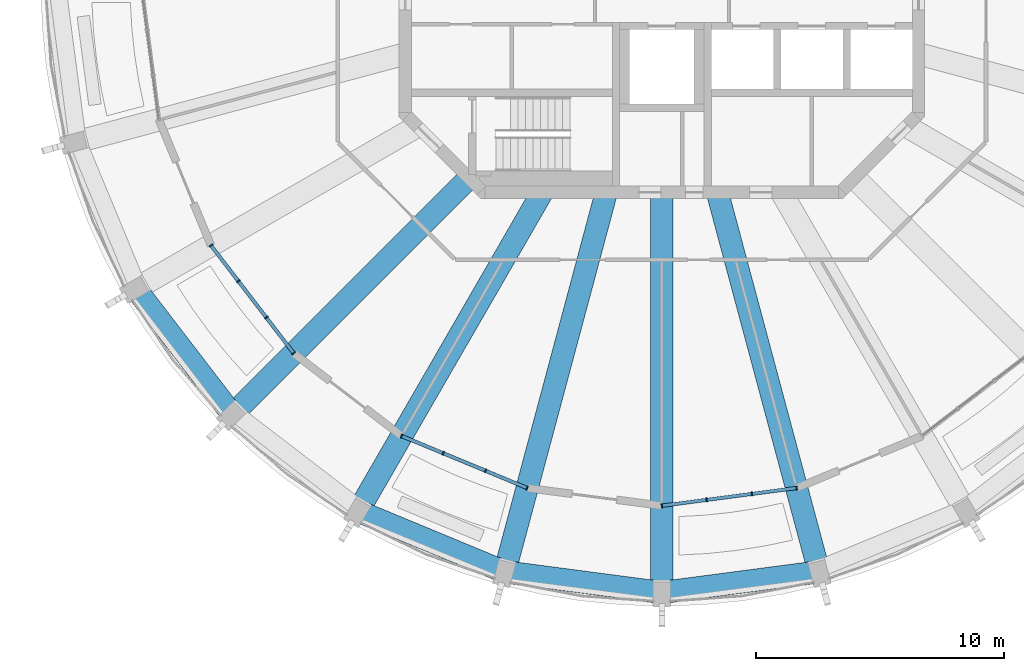
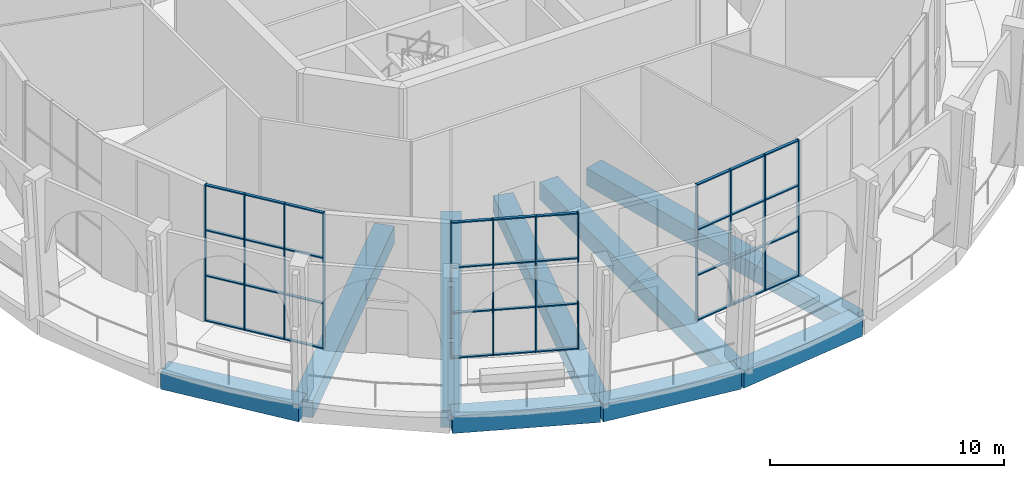
# One storey, part 2 of 17: 48 members, 9 beams, 3 elements without a shape of their own.
"""IFC4 building model written with IfcOpenShell, lengths in metres."""

from ifc_helpers import new_model, si_unit, direction, frame, origin, origin_2d, place, context, subcontext, project, spatial, rectangle, extrude, material, material_profile, profile_set, type_object, element, aggregate, save


model = new_model("IFC4")

# Units and contexts
model_context = context("Model", 3, precision=1e-05, world=origin(), true_north=direction((0.0, 1.0)))
body_context = subcontext(model_context, "Body", "Model", "MODEL_VIEW")
ifc_project = project(units=[si_unit("LENGTHUNIT", "METRE"), si_unit("AREAUNIT", "SQUARE_METRE"), si_unit("VOLUMEUNIT", "CUBIC_METRE"), si_unit("PLANEANGLEUNIT", "RADIAN"), si_unit("MASSUNIT", "GRAM", prefix="KILO")], contexts=[model_context])

# Site, building, storey
site_placement = place(None, origin())
site = spatial("IfcSite", under=ifc_project, at=site_placement, CompositionType="ELEMENT")
building_placement = place(site_placement, origin())
building = spatial("IfcBuilding", under=site, at=building_placement, Name="Torre Triforio", CompositionType="ELEMENT")
storey_placement = place(building_placement, frame((0.0, 0.0, 276.0)))
storey = spatial("IfcBuildingStorey", under=building, at=storey_placement, Name="L64", CompositionType="ELEMENT", Elevation=276.0)

# Curtain wall, members
ifc_material_1 = material(Name="Aluminium mullion and transom frame with clear laminated glass", Category="aluminium")
curtain_wall_type = type_object("IfcCurtainWallType", Name="Sky garden conservatory wall ECW3", PredefinedType="NOTDEFINED", material=ifc_material_1)
curtain_wall_1_placement = place(storey_placement, origin())
curtain_wall_1 = element("IfcCurtainWall", 1, at=curtain_wall_1_placement, inside=storey, type_object=curtain_wall_type, Name="Conservatory wall L64 bay 15", PredefinedType="NOTDEFINED")
ifc_material_2 = material(Name="Anodised aluminium extrusion", Category="aluminium")
ifc_material_profile_1 = material_profile(ifc_material_2, rectangle(XDim=0.159912109375, YDim=0.06005859375, at=origin_2d()), Name="ECW3 MULLION 60x160")
ifc_profile_set_1 = profile_set([ifc_material_profile_1], Name="Anodised aluminium extrusion")
member_type_1 = type_object("IfcMemberType", Name="ECW3 mullion 60 x 160", PredefinedType="MULLION", material=ifc_profile_set_1)
member_1_placement = place(storey_placement, frame((-18.1865234375, -10.5, 0.0), z_axis=(0.0, 0.0, 1.0), x_axis=(0.793351885029, 0.608763325538, 0.0)))
member_1 = element("IfcMember", 2, at=member_1_placement, type_object=member_type_1, Name="ECW3 mullion 1", PredefinedType="MULLION", context=body_context, shape_type="SweptSolid", body=[
    extrude(rectangle(XDim=0.159912109375, YDim=0.06005859375, at=origin_2d()), origin(), (0.0, 0.0, 1.0), 7.1201171875),
])
member_2_placement = place(storey_placement, frame((-17.080078125, -11.94189453125, 0.0), z_axis=(0.0, 0.0, 1.0), x_axis=(0.793351885029, 0.608763325538, 0.0)))
member_2 = element("IfcMember", 3, at=member_2_placement, type_object=member_type_1, Name="ECW3 mullion 2", PredefinedType="MULLION", context=body_context, shape_type="SweptSolid", body=[
    extrude(rectangle(XDim=0.159912109375, YDim=0.06005859375, at=origin_2d()), origin(), (0.0, 0.0, 1.0), 7.1201171875),
])
member_3_placement = place(storey_placement, frame((-15.95556640625, -13.407470703125, 0.0), z_axis=(0.0, 0.0, 1.0), x_axis=(0.793351885029, 0.608763325538, 0.0)))
member_3 = element("IfcMember", 4, at=member_3_placement, type_object=member_type_1, Name="ECW3 mullion 3", PredefinedType="MULLION", context=body_context, shape_type="SweptSolid", body=[
    extrude(rectangle(XDim=0.159912109375, YDim=0.06005859375, at=origin_2d()), origin(), (0.0, 0.0, 1.0), 7.1201171875),
])
member_4_placement = place(storey_placement, frame((-14.849365234375, -14.84912109375, 0.0), z_axis=(0.0, 0.0, 1.0), x_axis=(0.793351885029, 0.608763325538, 0.0)))
member_4 = element("IfcMember", 5, at=member_4_placement, type_object=member_type_1, Name="ECW3 mullion 4", PredefinedType="MULLION", context=body_context, shape_type="SweptSolid", body=[
    extrude(rectangle(XDim=0.159912109375, YDim=0.06005859375, at=origin_2d()), origin(), (0.0, 0.0, 1.0), 7.1201171875),
])

curtain_wall_2_placement = place(storey_placement, origin())
curtain_wall_2 = element("IfcCurtainWall", 6, at=curtain_wall_2_placement, inside=storey, type_object=curtain_wall_type, Name="Conservatory wall L64 bay 17", PredefinedType="NOTDEFINED")
member_5_placement = place(storey_placement, frame((-10.5, -18.1865234375, 0.0), z_axis=(0.0, 0.0, 1.0), x_axis=(0.382674764107, 0.923883122974, 0.0)))
member_5 = element("IfcMember", 7, at=member_5_placement, type_object=member_type_1, Name="ECW3 mullion 1", PredefinedType="MULLION", context=body_context, shape_type="SweptSolid", body=[
    extrude(rectangle(XDim=0.159912109375, YDim=0.06005859375, at=origin_2d()), origin(), (0.0, 0.0, 1.0), 7.1201171875),
])
member_6_placement = place(storey_placement, frame((-8.821044921875, -18.882080078125, 0.0), z_axis=(0.0, 0.0, 1.0), x_axis=(0.382674764107, 0.923883122974, 0.0)))
member_6 = element("IfcMember", 8, at=member_6_placement, type_object=member_type_1, Name="ECW3 mullion 2", PredefinedType="MULLION", context=body_context, shape_type="SweptSolid", body=[
    extrude(rectangle(XDim=0.159912109375, YDim=0.06005859375, at=origin_2d()), origin(), (0.0, 0.0, 1.0), 7.1201171875),
])
member_7_placement = place(storey_placement, frame((-7.1142578125, -19.5888671875, 0.0), z_axis=(0.0, 0.0, 1.0), x_axis=(0.382674764107, 0.923883122974, 0.0)))
member_7 = element("IfcMember", 9, at=member_7_placement, type_object=member_type_1, Name="ECW3 mullion 3", PredefinedType="MULLION", context=body_context, shape_type="SweptSolid", body=[
    extrude(rectangle(XDim=0.159912109375, YDim=0.06005859375, at=origin_2d()), origin(), (0.0, 0.0, 1.0), 7.1201171875),
])
member_8_placement = place(storey_placement, frame((-5.435302734375, -20.284423828125, 0.0), z_axis=(0.0, 0.0, 1.0), x_axis=(0.382674764107, 0.923883122974, 0.0)))
member_8 = element("IfcMember", 10, at=member_8_placement, type_object=member_type_1, Name="ECW3 mullion 4", PredefinedType="MULLION", context=body_context, shape_type="SweptSolid", body=[
    extrude(rectangle(XDim=0.159912109375, YDim=0.06005859375, at=origin_2d()), origin(), (0.0, 0.0, 1.0), 7.1201171875),
])

curtain_wall_3_placement = place(storey_placement, origin())
curtain_wall_3 = element("IfcCurtainWall", 11, at=curtain_wall_3_placement, inside=storey, type_object=curtain_wall_type, Name="Conservatory wall L64 bay 19", PredefinedType="NOTDEFINED")
member_9_placement = place(storey_placement, frame((0.0, -21.0, 0.0), z_axis=(0.0, 0.0, 1.0), x_axis=(-0.130530127386, 0.991444343291, 0.0)))
member_9 = element("IfcMember", 12, at=member_9_placement, type_object=member_type_1, Name="ECW3 mullion 1", PredefinedType="MULLION", context=body_context, shape_type="SweptSolid", body=[
    extrude(rectangle(XDim=0.159912109375, YDim=0.06005859375, at=origin_2d()), origin(), (0.0, 0.0, 1.0), 7.1201171875),
])
member_10_placement = place(storey_placement, frame((1.8017578125, -20.7626953125, 0.0), z_axis=(0.0, 0.0, 1.0), x_axis=(-0.130530127386, 0.991444343291, 0.0)))
member_10 = element("IfcMember", 13, at=member_10_placement, type_object=member_type_1, Name="ECW3 mullion 2", PredefinedType="MULLION", context=body_context, shape_type="SweptSolid", body=[
    extrude(rectangle(XDim=0.159912109375, YDim=0.06005859375, at=origin_2d()), origin(), (0.0, 0.0, 1.0), 7.1201171875),
])
member_11_placement = place(storey_placement, frame((3.63330078125, -20.521728515625, 0.0), z_axis=(0.0, 0.0, 1.0), x_axis=(-0.130530127386, 0.991444343291, 0.0)))
member_11 = element("IfcMember", 14, at=member_11_placement, type_object=member_type_1, Name="ECW3 mullion 3", PredefinedType="MULLION", context=body_context, shape_type="SweptSolid", body=[
    extrude(rectangle(XDim=0.159912109375, YDim=0.06005859375, at=origin_2d()), origin(), (0.0, 0.0, 1.0), 7.1201171875),
])
member_12_placement = place(storey_placement, frame((5.43505859375, -20.284423828125, 0.0), z_axis=(0.0, 0.0, 1.0), x_axis=(-0.130530127386, 0.991444343291, 0.0)))
member_12 = element("IfcMember", 15, at=member_12_placement, type_object=member_type_1, Name="ECW3 mullion 4", PredefinedType="MULLION", context=body_context, shape_type="SweptSolid", body=[
    extrude(rectangle(XDim=0.159912109375, YDim=0.06005859375, at=origin_2d()), origin(), (0.0, 0.0, 1.0), 7.1201171875),
])

# Member
ifc_material_profile_2 = material_profile(ifc_material_2, rectangle(XDim=0.139892578125, YDim=0.06005859375, at=origin_2d()), Name="ECW3 TRANSOM 60x140")
ifc_profile_set_2 = profile_set([ifc_material_profile_2], Name="Anodised aluminium extrusion")
member_type_2 = type_object("IfcMemberType", Name="ECW3 transom 60 x 140", PredefinedType="USERDEFINED", material=ifc_profile_set_2)
member_13_placement = place(storey_placement, frame((-18.168212890625, -10.523681640625, 0.030029296875), z_axis=(0.60874355425, -0.793367055756, 0.0), x_axis=(0.793367055756, 0.60874355425, 0.0)))
member_13 = element("IfcMember", 16, at=member_13_placement, type_object=member_type_2, Name="ECW3 transom 1.1", ObjectType="TRANSOM", PredefinedType="USERDEFINED", context=body_context, shape_type="SweptSolid", body=[
    extrude(rectangle(XDim=0.139892578125, YDim=0.06005859375, at=origin_2d()), origin(), (0.0, 0.0, 1.0), 1.75732421875),
])

member_14_placement = place(storey_placement, frame((-18.168212890625, -10.523681640625, 2.373291015625), z_axis=(0.60874355425, -0.793367055756, 0.0), x_axis=(0.793367055756, 0.60874355425, 0.0)))
member_14 = element("IfcMember", 17, at=member_14_placement, type_object=member_type_2, Name="ECW3 transom 1.2", ObjectType="TRANSOM", PredefinedType="USERDEFINED", context=body_context, shape_type="SweptSolid", body=[
    extrude(rectangle(XDim=0.139892578125, YDim=0.06005859375, at=origin_2d()), origin(), (0.0, 0.0, 1.0), 1.75732421875),
])

member_15_placement = place(storey_placement, frame((-18.168212890625, -10.523681640625, 4.74658203125), z_axis=(0.60874355425, -0.793367055756, 0.0), x_axis=(0.793367055756, 0.60874355425, 0.0)))
member_15 = element("IfcMember", 18, at=member_15_placement, type_object=member_type_2, Name="ECW3 transom 1.3", ObjectType="TRANSOM", PredefinedType="USERDEFINED", context=body_context, shape_type="SweptSolid", body=[
    extrude(rectangle(XDim=0.139892578125, YDim=0.06005859375, at=origin_2d()), origin(), (0.0, 0.0, 1.0), 1.75732421875),
])

member_16_placement = place(storey_placement, frame((-18.168212890625, -10.523681640625, 7.090087890625), z_axis=(0.60874355425, -0.793367055756, 0.0), x_axis=(0.793367055756, 0.60874355425, 0.0)))
member_16 = element("IfcMember", 19, at=member_16_placement, type_object=member_type_2, Name="ECW3 transom 1.4", ObjectType="TRANSOM", PredefinedType="USERDEFINED", context=body_context, shape_type="SweptSolid", body=[
    extrude(rectangle(XDim=0.139892578125, YDim=0.06005859375, at=origin_2d()), origin(), (0.0, 0.0, 1.0), 1.75732421875),
])

member_17_placement = place(storey_placement, frame((-17.06201171875, -11.965576171875, 0.030029296875), z_axis=(0.608792795973, -0.793329270588, 0.0), x_axis=(0.793329270588, 0.608792795973, 0.0)))
member_17 = element("IfcMember", 20, at=member_17_placement, type_object=member_type_2, Name="ECW3 transom 2.1", ObjectType="TRANSOM", PredefinedType="USERDEFINED", context=body_context, shape_type="SweptSolid", body=[
    extrude(rectangle(XDim=0.139892578125, YDim=0.06005859375, at=origin_2d()), origin(), (0.0, 0.0, 1.0), 1.787353515625),
])

member_18_placement = place(storey_placement, frame((-17.06201171875, -11.965576171875, 2.373291015625), z_axis=(0.608792795973, -0.793329270588, 0.0), x_axis=(0.793329270588, 0.608792795973, 0.0)))
member_18 = element("IfcMember", 21, at=member_18_placement, type_object=member_type_2, Name="ECW3 transom 2.2", ObjectType="TRANSOM", PredefinedType="USERDEFINED", context=body_context, shape_type="SweptSolid", body=[
    extrude(rectangle(XDim=0.139892578125, YDim=0.06005859375, at=origin_2d()), origin(), (0.0, 0.0, 1.0), 1.787353515625),
])

member_19_placement = place(storey_placement, frame((-17.06201171875, -11.965576171875, 4.74658203125), z_axis=(0.608792795973, -0.793329270588, 0.0), x_axis=(0.793329270588, 0.608792795973, 0.0)))
member_19 = element("IfcMember", 22, at=member_19_placement, type_object=member_type_2, Name="ECW3 transom 2.3", ObjectType="TRANSOM", PredefinedType="USERDEFINED", context=body_context, shape_type="SweptSolid", body=[
    extrude(rectangle(XDim=0.139892578125, YDim=0.06005859375, at=origin_2d()), origin(), (0.0, 0.0, 1.0), 1.787353515625),
])

member_20_placement = place(storey_placement, frame((-17.06201171875, -11.965576171875, 7.090087890625), z_axis=(0.608792795973, -0.793329270588, 0.0), x_axis=(0.793329270588, 0.608792795973, 0.0)))
member_20 = element("IfcMember", 23, at=member_20_placement, type_object=member_type_2, Name="ECW3 transom 2.4", ObjectType="TRANSOM", PredefinedType="USERDEFINED", context=body_context, shape_type="SweptSolid", body=[
    extrude(rectangle(XDim=0.139892578125, YDim=0.06005859375, at=origin_2d()), origin(), (0.0, 0.0, 1.0), 1.787353515625),
])

member_21_placement = place(storey_placement, frame((-15.937255859375, -13.43115234375, 0.030029296875), z_axis=(0.60874355425, -0.793367055756, 0.0), x_axis=(0.793367055756, 0.60874355425, 0.0)))
member_21 = element("IfcMember", 24, at=member_21_placement, type_object=member_type_2, Name="ECW3 transom 3.1", ObjectType="TRANSOM", PredefinedType="USERDEFINED", context=body_context, shape_type="SweptSolid", body=[
    extrude(rectangle(XDim=0.139892578125, YDim=0.06005859375, at=origin_2d()), origin(), (0.0, 0.0, 1.0), 1.75732421875),
])

member_22_placement = place(storey_placement, frame((-15.937255859375, -13.43115234375, 2.373291015625), z_axis=(0.60874355425, -0.793367055756, 0.0), x_axis=(0.793367055756, 0.60874355425, 0.0)))
member_22 = element("IfcMember", 25, at=member_22_placement, type_object=member_type_2, Name="ECW3 transom 3.2", ObjectType="TRANSOM", PredefinedType="USERDEFINED", context=body_context, shape_type="SweptSolid", body=[
    extrude(rectangle(XDim=0.139892578125, YDim=0.06005859375, at=origin_2d()), origin(), (0.0, 0.0, 1.0), 1.75732421875),
])

member_23_placement = place(storey_placement, frame((-15.937255859375, -13.43115234375, 4.74658203125), z_axis=(0.60874355425, -0.793367055756, 0.0), x_axis=(0.793367055756, 0.60874355425, 0.0)))
member_23 = element("IfcMember", 26, at=member_23_placement, type_object=member_type_2, Name="ECW3 transom 3.3", ObjectType="TRANSOM", PredefinedType="USERDEFINED", context=body_context, shape_type="SweptSolid", body=[
    extrude(rectangle(XDim=0.139892578125, YDim=0.06005859375, at=origin_2d()), origin(), (0.0, 0.0, 1.0), 1.75732421875),
])

member_24_placement = place(storey_placement, frame((-15.937255859375, -13.43115234375, 7.090087890625), z_axis=(0.60874355425, -0.793367055756, 0.0), x_axis=(0.793367055756, 0.60874355425, 0.0)))
member_24 = element("IfcMember", 27, at=member_24_placement, type_object=member_type_2, Name="ECW3 transom 3.4", ObjectType="TRANSOM", PredefinedType="USERDEFINED", context=body_context, shape_type="SweptSolid", body=[
    extrude(rectangle(XDim=0.139892578125, YDim=0.06005859375, at=origin_2d()), origin(), (0.0, 0.0, 1.0), 1.75732421875),
])

aggregate(curtain_wall_1, [member_1, member_2, member_3, member_4, member_13, member_14, member_15, member_16, member_17, member_18, member_19, member_20, member_21, member_22, member_23, member_24])

member_25_placement = place(storey_placement, frame((-10.47216796875, -18.197998046875, 0.030029296875), z_axis=(0.923855963606, -0.38274032778, 0.0), x_axis=(0.38274032778, 0.923855963606, 0.0)))
member_25 = element("IfcMember", 28, at=member_25_placement, type_object=member_type_2, Name="ECW3 transom 1.1", ObjectType="TRANSOM", PredefinedType="USERDEFINED", context=body_context, shape_type="SweptSolid", body=[
    extrude(rectangle(XDim=0.139892578125, YDim=0.06005859375, at=origin_2d()), origin(), (0.0, 0.0, 1.0), 1.75732421875),
])

member_26_placement = place(storey_placement, frame((-10.47216796875, -18.197998046875, 2.373291015625), z_axis=(0.923855963606, -0.38274032778, 0.0), x_axis=(0.38274032778, 0.923855963606, 0.0)))
member_26 = element("IfcMember", 29, at=member_26_placement, type_object=member_type_2, Name="ECW3 transom 1.2", ObjectType="TRANSOM", PredefinedType="USERDEFINED", context=body_context, shape_type="SweptSolid", body=[
    extrude(rectangle(XDim=0.139892578125, YDim=0.06005859375, at=origin_2d()), origin(), (0.0, 0.0, 1.0), 1.75732421875),
])

member_27_placement = place(storey_placement, frame((-10.47216796875, -18.197998046875, 4.74658203125), z_axis=(0.923855963606, -0.38274032778, 0.0), x_axis=(0.38274032778, 0.923855963606, 0.0)))
member_27 = element("IfcMember", 30, at=member_27_placement, type_object=member_type_2, Name="ECW3 transom 1.3", ObjectType="TRANSOM", PredefinedType="USERDEFINED", context=body_context, shape_type="SweptSolid", body=[
    extrude(rectangle(XDim=0.139892578125, YDim=0.06005859375, at=origin_2d()), origin(), (0.0, 0.0, 1.0), 1.75732421875),
])

member_28_placement = place(storey_placement, frame((-10.47216796875, -18.197998046875, 7.090087890625), z_axis=(0.923855963606, -0.38274032778, 0.0), x_axis=(0.38274032778, 0.923855963606, 0.0)))
member_28 = element("IfcMember", 31, at=member_28_placement, type_object=member_type_2, Name="ECW3 transom 1.4", ObjectType="TRANSOM", PredefinedType="USERDEFINED", context=body_context, shape_type="SweptSolid", body=[
    extrude(rectangle(XDim=0.139892578125, YDim=0.06005859375, at=origin_2d()), origin(), (0.0, 0.0, 1.0), 1.75732421875),
])

member_29_placement = place(storey_placement, frame((-8.793212890625, -18.8935546875, 0.030029296875), z_axis=(0.923915291126, -0.382597092023, 0.0), x_axis=(0.382597092023, 0.923915291126, 0.0)))
member_29 = element("IfcMember", 32, at=member_29_placement, type_object=member_type_2, Name="ECW3 transom 2.1", ObjectType="TRANSOM", PredefinedType="USERDEFINED", context=body_context, shape_type="SweptSolid", body=[
    extrude(rectangle(XDim=0.139892578125, YDim=0.06005859375, at=origin_2d()), origin(), (0.0, 0.0, 1.0), 1.787353515625),
])

member_30_placement = place(storey_placement, frame((-8.793212890625, -18.8935546875, 2.373291015625), z_axis=(0.923915291126, -0.382597092023, 0.0), x_axis=(0.382597092023, 0.923915291126, 0.0)))
member_30 = element("IfcMember", 33, at=member_30_placement, type_object=member_type_2, Name="ECW3 transom 2.2", ObjectType="TRANSOM", PredefinedType="USERDEFINED", context=body_context, shape_type="SweptSolid", body=[
    extrude(rectangle(XDim=0.139892578125, YDim=0.06005859375, at=origin_2d()), origin(), (0.0, 0.0, 1.0), 1.787353515625),
])

member_31_placement = place(storey_placement, frame((-8.793212890625, -18.8935546875, 4.74658203125), z_axis=(0.923915291126, -0.382597092023, 0.0), x_axis=(0.382597092023, 0.923915291126, 0.0)))
member_31 = element("IfcMember", 34, at=member_31_placement, type_object=member_type_2, Name="ECW3 transom 2.3", ObjectType="TRANSOM", PredefinedType="USERDEFINED", context=body_context, shape_type="SweptSolid", body=[
    extrude(rectangle(XDim=0.139892578125, YDim=0.06005859375, at=origin_2d()), origin(), (0.0, 0.0, 1.0), 1.787353515625),
])

member_32_placement = place(storey_placement, frame((-8.793212890625, -18.8935546875, 7.090087890625), z_axis=(0.923915291126, -0.382597092023, 0.0), x_axis=(0.382597092023, 0.923915291126, 0.0)))
member_32 = element("IfcMember", 35, at=member_32_placement, type_object=member_type_2, Name="ECW3 transom 2.4", ObjectType="TRANSOM", PredefinedType="USERDEFINED", context=body_context, shape_type="SweptSolid", body=[
    extrude(rectangle(XDim=0.139892578125, YDim=0.06005859375, at=origin_2d()), origin(), (0.0, 0.0, 1.0), 1.787353515625),
])

member_33_placement = place(storey_placement, frame((-7.08642578125, -19.600341796875, 0.030029296875), z_axis=(0.923855963606, -0.38274032778, 0.0), x_axis=(0.38274032778, 0.923855963606, 0.0)))
member_33 = element("IfcMember", 36, at=member_33_placement, type_object=member_type_2, Name="ECW3 transom 3.1", ObjectType="TRANSOM", PredefinedType="USERDEFINED", context=body_context, shape_type="SweptSolid", body=[
    extrude(rectangle(XDim=0.139892578125, YDim=0.06005859375, at=origin_2d()), origin(), (0.0, 0.0, 1.0), 1.75732421875),
])

member_34_placement = place(storey_placement, frame((-7.08642578125, -19.600341796875, 2.373291015625), z_axis=(0.923855963606, -0.38274032778, 0.0), x_axis=(0.38274032778, 0.923855963606, 0.0)))
member_34 = element("IfcMember", 37, at=member_34_placement, type_object=member_type_2, Name="ECW3 transom 3.2", ObjectType="TRANSOM", PredefinedType="USERDEFINED", context=body_context, shape_type="SweptSolid", body=[
    extrude(rectangle(XDim=0.139892578125, YDim=0.06005859375, at=origin_2d()), origin(), (0.0, 0.0, 1.0), 1.75732421875),
])

member_35_placement = place(storey_placement, frame((-7.08642578125, -19.600341796875, 4.74658203125), z_axis=(0.923855963606, -0.38274032778, 0.0), x_axis=(0.38274032778, 0.923855963606, 0.0)))
member_35 = element("IfcMember", 38, at=member_35_placement, type_object=member_type_2, Name="ECW3 transom 3.3", ObjectType="TRANSOM", PredefinedType="USERDEFINED", context=body_context, shape_type="SweptSolid", body=[
    extrude(rectangle(XDim=0.139892578125, YDim=0.06005859375, at=origin_2d()), origin(), (0.0, 0.0, 1.0), 1.75732421875),
])

member_36_placement = place(storey_placement, frame((-7.08642578125, -19.600341796875, 7.090087890625), z_axis=(0.923855963606, -0.38274032778, 0.0), x_axis=(0.38274032778, 0.923855963606, 0.0)))
member_36 = element("IfcMember", 39, at=member_36_placement, type_object=member_type_2, Name="ECW3 transom 3.4", ObjectType="TRANSOM", PredefinedType="USERDEFINED", context=body_context, shape_type="SweptSolid", body=[
    extrude(rectangle(XDim=0.139892578125, YDim=0.06005859375, at=origin_2d()), origin(), (0.0, 0.0, 1.0), 1.75732421875),
])

aggregate(curtain_wall_2, [member_5, member_6, member_7, member_8, member_25, member_26, member_27, member_28, member_29, member_30, member_31, member_32, member_33, member_34, member_35, member_36])

member_37_placement = place(storey_placement, frame((0.02978515625, -20.99609375, 0.030029296875), z_axis=(0.991435369623, 0.130598268981, 0.0), x_axis=(-0.130598268981, 0.991435369623, 0.0)))
member_37 = element("IfcMember", 40, at=member_37_placement, type_object=member_type_2, Name="ECW3 transom 1.1", ObjectType="TRANSOM", PredefinedType="USERDEFINED", context=body_context, shape_type="SweptSolid", body=[
    extrude(rectangle(XDim=0.139892578125, YDim=0.06005859375, at=origin_2d()), origin(), (0.0, 0.0, 1.0), 1.75732421875),
])

member_38_placement = place(storey_placement, frame((0.02978515625, -20.99609375, 2.373291015625), z_axis=(0.991435369623, 0.130598268981, 0.0), x_axis=(-0.130598268981, 0.991435369623, 0.0)))
member_38 = element("IfcMember", 41, at=member_38_placement, type_object=member_type_2, Name="ECW3 transom 1.2", ObjectType="TRANSOM", PredefinedType="USERDEFINED", context=body_context, shape_type="SweptSolid", body=[
    extrude(rectangle(XDim=0.139892578125, YDim=0.06005859375, at=origin_2d()), origin(), (0.0, 0.0, 1.0), 1.75732421875),
])

member_39_placement = place(storey_placement, frame((0.02978515625, -20.99609375, 4.74658203125), z_axis=(0.991435369623, 0.130598268981, 0.0), x_axis=(-0.130598268981, 0.991435369623, 0.0)))
member_39 = element("IfcMember", 42, at=member_39_placement, type_object=member_type_2, Name="ECW3 transom 1.3", ObjectType="TRANSOM", PredefinedType="USERDEFINED", context=body_context, shape_type="SweptSolid", body=[
    extrude(rectangle(XDim=0.139892578125, YDim=0.06005859375, at=origin_2d()), origin(), (0.0, 0.0, 1.0), 1.75732421875),
])

member_40_placement = place(storey_placement, frame((0.02978515625, -20.99609375, 7.090087890625), z_axis=(0.991435369623, 0.130598268981, 0.0), x_axis=(-0.130598268981, 0.991435369623, 0.0)))
member_40 = element("IfcMember", 43, at=member_40_placement, type_object=member_type_2, Name="ECW3 transom 1.4", ObjectType="TRANSOM", PredefinedType="USERDEFINED", context=body_context, shape_type="SweptSolid", body=[
    extrude(rectangle(XDim=0.139892578125, YDim=0.06005859375, at=origin_2d()), origin(), (0.0, 0.0, 1.0), 1.75732421875),
])

member_41_placement = place(storey_placement, frame((1.83154296875, -20.7587890625, 0.030029296875), z_axis=(0.991454295543, 0.130454512571, 0.0), x_axis=(-0.130454512571, 0.991454295543, 0.0)))
member_41 = element("IfcMember", 44, at=member_41_placement, type_object=member_type_2, Name="ECW3 transom 2.1", ObjectType="TRANSOM", PredefinedType="USERDEFINED", context=body_context, shape_type="SweptSolid", body=[
    extrude(rectangle(XDim=0.139892578125, YDim=0.06005859375, at=origin_2d()), origin(), (0.0, 0.0, 1.0), 1.787353515625),
])

member_42_placement = place(storey_placement, frame((1.83154296875, -20.7587890625, 2.373291015625), z_axis=(0.991454295543, 0.130454512571, 0.0), x_axis=(-0.130454512571, 0.991454295543, 0.0)))
member_42 = element("IfcMember", 45, at=member_42_placement, type_object=member_type_2, Name="ECW3 transom 2.2", ObjectType="TRANSOM", PredefinedType="USERDEFINED", context=body_context, shape_type="SweptSolid", body=[
    extrude(rectangle(XDim=0.139892578125, YDim=0.06005859375, at=origin_2d()), origin(), (0.0, 0.0, 1.0), 1.787353515625),
])

member_43_placement = place(storey_placement, frame((1.83154296875, -20.7587890625, 4.74658203125), z_axis=(0.991454295543, 0.130454512571, 0.0), x_axis=(-0.130454512571, 0.991454295543, 0.0)))
member_43 = element("IfcMember", 46, at=member_43_placement, type_object=member_type_2, Name="ECW3 transom 2.3", ObjectType="TRANSOM", PredefinedType="USERDEFINED", context=body_context, shape_type="SweptSolid", body=[
    extrude(rectangle(XDim=0.139892578125, YDim=0.06005859375, at=origin_2d()), origin(), (0.0, 0.0, 1.0), 1.787353515625),
])

member_44_placement = place(storey_placement, frame((1.83154296875, -20.7587890625, 7.090087890625), z_axis=(0.991454295543, 0.130454512571, 0.0), x_axis=(-0.130454512571, 0.991454295543, 0.0)))
member_44 = element("IfcMember", 47, at=member_44_placement, type_object=member_type_2, Name="ECW3 transom 2.4", ObjectType="TRANSOM", PredefinedType="USERDEFINED", context=body_context, shape_type="SweptSolid", body=[
    extrude(rectangle(XDim=0.139892578125, YDim=0.06005859375, at=origin_2d()), origin(), (0.0, 0.0, 1.0), 1.787353515625),
])

member_45_placement = place(storey_placement, frame((3.6630859375, -20.517822265625, 0.030029296875), z_axis=(0.991437738784, 0.130580282255, 0.0), x_axis=(-0.130580282255, 0.991437738784, 0.0)))
member_45 = element("IfcMember", 48, at=member_45_placement, type_object=member_type_2, Name="ECW3 transom 3.1", ObjectType="TRANSOM", PredefinedType="USERDEFINED", context=body_context, shape_type="SweptSolid", body=[
    extrude(rectangle(XDim=0.139892578125, YDim=0.06005859375, at=origin_2d()), origin(), (0.0, 0.0, 1.0), 1.757568359375),
])

member_46_placement = place(storey_placement, frame((3.6630859375, -20.517822265625, 2.373291015625), z_axis=(0.991437738784, 0.130580282255, 0.0), x_axis=(-0.130580282255, 0.991437738784, 0.0)))
member_46 = element("IfcMember", 49, at=member_46_placement, type_object=member_type_2, Name="ECW3 transom 3.2", ObjectType="TRANSOM", PredefinedType="USERDEFINED", context=body_context, shape_type="SweptSolid", body=[
    extrude(rectangle(XDim=0.139892578125, YDim=0.06005859375, at=origin_2d()), origin(), (0.0, 0.0, 1.0), 1.757568359375),
])

member_47_placement = place(storey_placement, frame((3.6630859375, -20.517822265625, 4.74658203125), z_axis=(0.991437738784, 0.130580282255, 0.0), x_axis=(-0.130580282255, 0.991437738784, 0.0)))
member_47 = element("IfcMember", 50, at=member_47_placement, type_object=member_type_2, Name="ECW3 transom 3.3", ObjectType="TRANSOM", PredefinedType="USERDEFINED", context=body_context, shape_type="SweptSolid", body=[
    extrude(rectangle(XDim=0.139892578125, YDim=0.06005859375, at=origin_2d()), origin(), (0.0, 0.0, 1.0), 1.757568359375),
])

member_48_placement = place(storey_placement, frame((3.6630859375, -20.517822265625, 7.090087890625), z_axis=(0.991437738784, 0.130580282255, 0.0), x_axis=(-0.130580282255, 0.991437738784, 0.0)))
member_48 = element("IfcMember", 51, at=member_48_placement, type_object=member_type_2, Name="ECW3 transom 3.4", ObjectType="TRANSOM", PredefinedType="USERDEFINED", context=body_context, shape_type="SweptSolid", body=[
    extrude(rectangle(XDim=0.139892578125, YDim=0.06005859375, at=origin_2d()), origin(), (0.0, 0.0, 1.0), 1.757568359375),
])

aggregate(curtain_wall_3, [member_9, member_10, member_11, member_12, member_37, member_38, member_39, member_40, member_41, member_42, member_43, member_44, member_45, member_46, member_47, member_48])

# Beams
ifc_material_3 = material(Name="Concrete C40", Category="concrete")
ifc_material_profile_3 = material_profile(ifc_material_3, rectangle(XDim=0.89990234375, YDim=0.89990234375, at=origin_2d()), Name="RC 900x900")
ifc_profile_set_3 = profile_set([ifc_material_profile_3], Name="Concrete C40")
beam_type_1 = type_object("IfcBeamType", Name="Radial beam RC 900x900 C40", PredefinedType="BEAM", material=ifc_profile_set_3)
beam_1_placement = place(storey_placement, frame((-7.77685546875, -7.77685546875, -0.72998046875), z_axis=(-0.707106781187, -0.707106781187, 0.0), x_axis=(0.707106781187, -0.707106781187, 0.0)))
element("IfcBeam", 52, at=beam_1_placement, inside=storey, type_object=beam_type_1, Name="BM.R.L64.15", PredefinedType="BEAM", context=body_context, shape_type="SweptSolid", body=[
    extrude(rectangle(XDim=0.89990234375, YDim=0.89990234375, at=origin_2d()), origin(), (0.0, 0.0, 1.0), 13.501953125),
])
beam_2_placement = place(storey_placement, frame((-4.82080078125, -8.35009765625, -0.72998046875), z_axis=(-0.50000929273, -0.866020038558, 0.0), x_axis=(0.866020038558, -0.50000929273, 0.0)))
element("IfcBeam", 53, at=beam_2_placement, inside=storey, type_object=beam_type_1, Name="BM.R.L64.16", PredefinedType="BEAM", context=body_context, shape_type="SweptSolid", body=[
    extrude(rectangle(XDim=0.89990234375, YDim=0.89990234375, at=origin_2d()), origin(), (0.0, 0.0, 1.0), 14.858154296875),
])
beam_3_placement = place(storey_placement, frame((-2.2373046875, -8.35009765625, -0.72998046875), z_axis=(-0.258823056343, -0.965924751471, 0.0), x_axis=(0.965924751471, -0.258823056343, 0.0)))
element("IfcBeam", 54, at=beam_3_placement, inside=storey, type_object=beam_type_1, Name="BM.R.L64.17", PredefinedType="BEAM", context=body_context, shape_type="SweptSolid", body=[
    extrude(rectangle(XDim=0.89990234375, YDim=0.89990234375, at=origin_2d()), origin(), (0.0, 0.0, 1.0), 15.85546875),
])
beam_4_placement = place(storey_placement, frame((0.0, -8.35009765625, -0.72998046875), z_axis=(0.0, -1.0, 0.0), x_axis=(1.0, 0.0, 0.0)))
element("IfcBeam", 55, at=beam_4_placement, inside=storey, type_object=beam_type_1, Name="BM.R.L64.18", PredefinedType="BEAM", context=body_context, shape_type="SweptSolid", body=[
    extrude(rectangle(XDim=0.89990234375, YDim=0.89990234375, at=origin_2d()), origin(), (0.0, 0.0, 1.0), 16.14990234375),
])
beam_5_placement = place(storey_placement, frame((2.2373046875, -8.35009765625, -0.72998046875), z_axis=(0.258823056343, -0.965924751471, 0.0), x_axis=(0.965924751471, 0.258823056343, 0.0)))
element("IfcBeam", 56, at=beam_5_placement, inside=storey, type_object=beam_type_1, Name="BM.R.L64.19", PredefinedType="BEAM", context=body_context, shape_type="SweptSolid", body=[
    extrude(rectangle(XDim=0.89990234375, YDim=0.89990234375, at=origin_2d()), origin(), (0.0, 0.0, 1.0), 15.85546875),
])
ifc_material_profile_4 = material_profile(ifc_material_3, rectangle(XDim=0.89990234375, YDim=0.89990234375, at=origin_2d()), Name="RC 900x900")
ifc_profile_set_4 = profile_set([ifc_material_profile_4], Name="Concrete C40")
beam_type_2 = type_object("IfcBeamType", Name="Spandrel beam RC 900x900 C40", PredefinedType="SPANDREL", material=ifc_profile_set_4)
for number, where, z_axis, x_axis, name in (
    (57, (-21.217529296875, -12.25, -0.72998046875), (0.60873442055, -0.79337406388, 0.0), (0.79337406388, 0.60873442055, 0.0), "BM.S.L64.14"),
    (58, (-12.25, -21.217529296875, -0.72998046875), (0.923868882006, -0.382709143949, 0.0), (0.382709143949, 0.923868882006, 0.0), "BM.S.L64.16"),
    (59, (-6.341064453125, -23.665283203125, -0.72998046875), (0.991446888172, -0.130510796237, 0.0), (0.130510796237, 0.991446888172, 0.0), "BM.S.L64.17"),
    (60, (0.0, -24.5, -0.72998046875), (0.991446888172, 0.130510796237, 0.0), (-0.130510796237, 0.991446888172, 0.0), "BM.S.L64.18"),
):
    element("IfcBeam", number, at=place(storey_placement, frame(where, z_axis=z_axis, x_axis=x_axis)), inside=storey, type_object=beam_type_2, Name=name, PredefinedType="SPANDREL", context=body_context, shape_type="SweptSolid", body=[
        extrude(rectangle(XDim=0.89990234375, YDim=0.89990234375, at=origin_2d()), origin(), (0.0, 0.0, 1.0), 6.395751953125),
    ])

save(model, "model.ifc")
